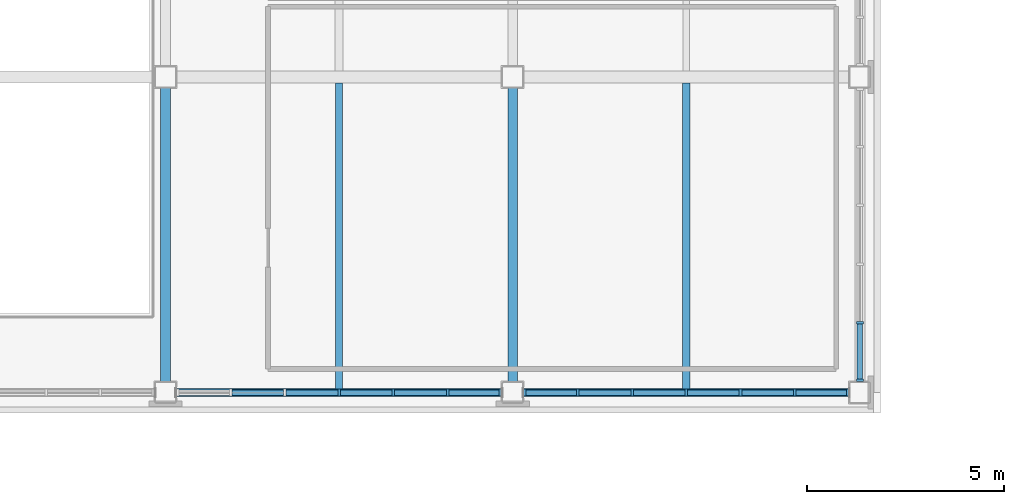
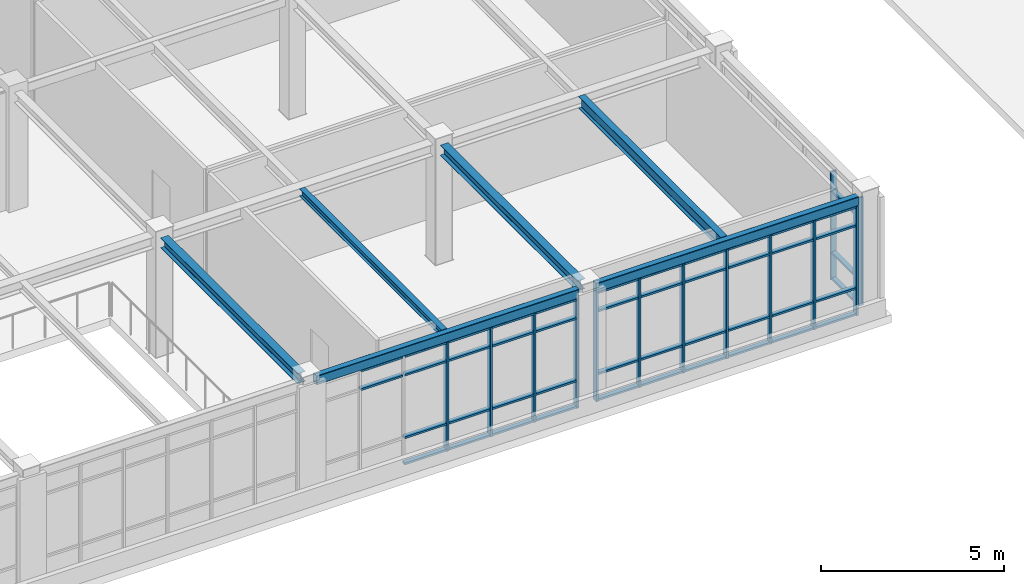
# One storey, part 15 of 88: 58 members, 6 beams, 3 elements without a shape of their own.
"""IFC4 building model written with IfcOpenShell, lengths in metres."""

from ifc_helpers import new_model, si_unit, direction, frame, origin, origin_2d, place, context, subcontext, project, spatial, rectangle, hollow_rectangle, i_section, extrude, material, material_profile, profile_set, type_object, element, aggregate, save


model = new_model("IFC4")

# Units and contexts
model_context = context("Model", 3, precision=1e-05, world=origin(), true_north=direction((0.0, 1.0)))
body_context = subcontext(model_context, "Body", "Model", "MODEL_VIEW")
ifc_project = project(units=[si_unit("LENGTHUNIT", "METRE"), si_unit("AREAUNIT", "SQUARE_METRE"), si_unit("VOLUMEUNIT", "CUBIC_METRE"), si_unit("PLANEANGLEUNIT", "RADIAN"), si_unit("MASSUNIT", "GRAM", prefix="KILO")], contexts=[model_context])

# Site, building, storey
site_placement = place(None, origin())
site = spatial("IfcSite", under=ifc_project, at=site_placement, CompositionType="ELEMENT")
building_placement = place(site_placement, origin())
building = spatial("IfcBuilding", under=site, at=building_placement, Name="Zhaolan Boulevard Law Courts", CompositionType="ELEMENT")
storey_placement = place(building_placement, frame((0.0, 0.0, 16.199951171875)))
storey = spatial("IfcBuildingStorey", under=building, at=storey_placement, Name="L03", CompositionType="ELEMENT", Elevation=16.199951171875)

# Curtain wall, members
ifc_material_1 = material(Name="Thermally broken aluminium and low-E glazing", Category="aluminium")
curtain_wall_type_1 = type_object("IfcCurtainWallType", Name="CURTAIN WALL M3", PredefinedType="USERDEFINED", material=ifc_material_1)
curtain_wall_1_placement = place(storey_placement, origin())
curtain_wall_1 = element("IfcCurtainWall", 1, at=curtain_wall_1_placement, inside=storey, type_object=curtain_wall_type_1, Name="Curtain Wall CW-L03-171", ObjectType="CURTAIN WALL", PredefinedType="USERDEFINED")
ifc_material_2 = material(Name="Fluorocarbon-coated aluminium 6063-T6", Category="aluminium")
ifc_material_profile_1 = material_profile(ifc_material_2, rectangle(XDim=0.179931640625, YDim=0.06494140625, at=origin_2d()), Name="AL65x180")
ifc_profile_set_1 = profile_set([ifc_material_profile_1], Name="Fluorocarbon-coated aluminium 6063-T6")
member_type_1 = type_object("IfcMemberType", Name="CWMULLION 65X180", PredefinedType="MULLION", material=ifc_profile_set_1)
member_1_placement = place(storey_placement, frame((30.800048828125, 30.0, 0.0), z_axis=(0.0, 0.0, 1.0), x_axis=(0.0, 1.0, 0.0)))
member_1 = element("IfcMember", 2, at=member_1_placement, type_object=member_type_1, Name="CW-L03-171 mullion 4", PredefinedType="MULLION", context=body_context, shape_type="SweptSolid", body=[
    extrude(rectangle(XDim=0.179931640625, YDim=0.06494140625, at=origin_2d()), origin(), (0.0, 0.0, 1.0), 3.633056640625),
])
member_2_placement = place(storey_placement, frame((32.17431640625, 30.0, 0.0), z_axis=(0.0, 0.0, 1.0), x_axis=(0.0, 1.0, 0.0)))
member_2 = element("IfcMember", 3, at=member_2_placement, type_object=member_type_1, Name="CW-L03-171 mullion 5", PredefinedType="MULLION", context=body_context, shape_type="SweptSolid", body=[
    extrude(rectangle(XDim=0.179931640625, YDim=0.06494140625, at=origin_2d()), origin(), (0.0, 0.0, 1.0), 3.633056640625),
])
member_3_placement = place(storey_placement, frame((33.548583984375, 30.0, 0.0), z_axis=(0.0, 0.0, 1.0), x_axis=(0.0, 1.0, 0.0)))
member_3 = element("IfcMember", 4, at=member_3_placement, type_object=member_type_1, Name="CW-L03-171 mullion 6", PredefinedType="MULLION", context=body_context, shape_type="SweptSolid", body=[
    extrude(rectangle(XDim=0.179931640625, YDim=0.06494140625, at=origin_2d()), origin(), (0.0, 0.0, 1.0), 3.633056640625),
])
member_4_placement = place(storey_placement, frame((34.890380859375, 30.0, 0.0), z_axis=(0.0, 0.0, 1.0), x_axis=(0.0, 1.0, 0.0)))
member_4 = element("IfcMember", 5, at=member_4_placement, type_object=member_type_1, Name="CW-L03-171 mullion 7", PredefinedType="MULLION", context=body_context, shape_type="SweptSolid", body=[
    extrude(rectangle(XDim=0.179931640625, YDim=0.06494140625, at=origin_2d()), origin(), (0.0, 0.0, 1.0), 3.633056640625),
])

ifc_material_3 = material(Name="Thermally broken aluminium and low-E glazing", Category="aluminium")
curtain_wall_type_2 = type_object("IfcCurtainWallType", Name="CURTAIN WALL M4", PredefinedType="USERDEFINED", material=ifc_material_3)
curtain_wall_2_placement = place(storey_placement, origin())
curtain_wall_2 = element("IfcCurtainWall", 6, at=curtain_wall_2_placement, inside=storey, type_object=curtain_wall_type_2, Name="Curtain Wall CW-L03-172", ObjectType="CURTAIN WALL", PredefinedType="USERDEFINED")
member_5_placement = place(storey_placement, frame((35.509521484375, 30.0, 0.0), z_axis=(0.0, 0.0, 1.0), x_axis=(0.0, 1.0, 0.0)))
member_5 = element("IfcMember", 7, at=member_5_placement, type_object=member_type_1, Name="CW-L03-172 mullion 1", PredefinedType="MULLION", context=body_context, shape_type="SweptSolid", body=[
    extrude(rectangle(XDim=0.179931640625, YDim=0.06494140625, at=origin_2d()), origin(), (0.0, 0.0, 1.0), 3.633056640625),
])
member_6_placement = place(storey_placement, frame((36.851318359375, 30.0, 0.0), z_axis=(0.0, 0.0, 1.0), x_axis=(0.0, 1.0, 0.0)))
member_6 = element("IfcMember", 8, at=member_6_placement, type_object=member_type_1, Name="CW-L03-172 mullion 2", PredefinedType="MULLION", context=body_context, shape_type="SweptSolid", body=[
    extrude(rectangle(XDim=0.179931640625, YDim=0.06494140625, at=origin_2d()), origin(), (0.0, 0.0, 1.0), 3.633056640625),
])
member_7_placement = place(storey_placement, frame((38.2255859375, 30.0, 0.0), z_axis=(0.0, 0.0, 1.0), x_axis=(0.0, 1.0, 0.0)))
member_7 = element("IfcMember", 9, at=member_7_placement, type_object=member_type_1, Name="CW-L03-172 mullion 3", PredefinedType="MULLION", context=body_context, shape_type="SweptSolid", body=[
    extrude(rectangle(XDim=0.179931640625, YDim=0.06494140625, at=origin_2d()), origin(), (0.0, 0.0, 1.0), 3.633056640625),
])
member_8_placement = place(storey_placement, frame((39.60009765625, 30.0, 0.0), z_axis=(0.0, 0.0, 1.0), x_axis=(0.0, 1.0, 0.0)))
member_8 = element("IfcMember", 10, at=member_8_placement, type_object=member_type_1, Name="CW-L03-172 mullion 4", PredefinedType="MULLION", context=body_context, shape_type="SweptSolid", body=[
    extrude(rectangle(XDim=0.179931640625, YDim=0.06494140625, at=origin_2d()), origin(), (0.0, 0.0, 1.0), 3.633056640625),
])
member_9_placement = place(storey_placement, frame((40.974365234375, 30.0, 0.0), z_axis=(0.0, 0.0, 1.0), x_axis=(0.0, 1.0, 0.0)))
member_9 = element("IfcMember", 11, at=member_9_placement, type_object=member_type_1, Name="CW-L03-172 mullion 5", PredefinedType="MULLION", context=body_context, shape_type="SweptSolid", body=[
    extrude(rectangle(XDim=0.179931640625, YDim=0.06494140625, at=origin_2d()), origin(), (0.0, 0.0, 1.0), 3.633056640625),
])
member_10_placement = place(storey_placement, frame((42.3486328125, 30.0, 0.0), z_axis=(0.0, 0.0, 1.0), x_axis=(0.0, 1.0, 0.0)))
member_10 = element("IfcMember", 12, at=member_10_placement, type_object=member_type_1, Name="CW-L03-172 mullion 6", PredefinedType="MULLION", context=body_context, shape_type="SweptSolid", body=[
    extrude(rectangle(XDim=0.179931640625, YDim=0.06494140625, at=origin_2d()), origin(), (0.0, 0.0, 1.0), 3.633056640625),
])
member_11_placement = place(storey_placement, frame((43.6904296875, 30.0, 0.0), z_axis=(0.0, 0.0, 1.0), x_axis=(0.0, 1.0, 0.0)))
member_11 = element("IfcMember", 13, at=member_11_placement, type_object=member_type_1, Name="CW-L03-172 mullion 7", PredefinedType="MULLION", context=body_context, shape_type="SweptSolid", body=[
    extrude(rectangle(XDim=0.179931640625, YDim=0.06494140625, at=origin_2d()), origin(), (0.0, 0.0, 1.0), 3.633056640625),
])

ifc_material_4 = material(Name="Thermally broken aluminium and low-E glazing", Category="aluminium")
curtain_wall_type_3 = type_object("IfcCurtainWallType", Name="CURTAIN WALL M11", PredefinedType="USERDEFINED", material=ifc_material_4)
curtain_wall_3_placement = place(storey_placement, origin())
curtain_wall_3 = element("IfcCurtainWall", 14, at=curtain_wall_3_placement, inside=storey, type_object=curtain_wall_type_3, Name="Curtain Wall CW-L03-179", ObjectType="CURTAIN WALL", PredefinedType="USERDEFINED")
member_12_placement = place(storey_placement, frame((44.0, 30.3095703125, 0.0), z_axis=(0.0, 0.0, 1.0), x_axis=(-1.0, 0.0, 0.0)))
member_12 = element("IfcMember", 15, at=member_12_placement, type_object=member_type_1, Name="CW-L03-179 mullion 1", PredefinedType="MULLION", context=body_context, shape_type="SweptSolid", body=[
    extrude(rectangle(XDim=0.179931640625, YDim=0.06494140625, at=origin_2d()), origin(), (0.0, 0.0, 1.0), 3.593017578125),
])
member_13_placement = place(storey_placement, frame((44.0, 31.76611328125, 0.0), z_axis=(0.0, 0.0, 1.0), x_axis=(-1.0, 0.0, 0.0)))
member_13 = element("IfcMember", 16, at=member_13_placement, type_object=member_type_1, Name="CW-L03-179 mullion 2", PredefinedType="MULLION", context=body_context, shape_type="SweptSolid", body=[
    extrude(rectangle(XDim=0.179931640625, YDim=0.06494140625, at=origin_2d()), origin(), (0.0, 0.0, 1.0), 3.593017578125),
])

# Member
ifc_material_5 = material(Name="Fluorocarbon-coated aluminium 6063-T6", Category="aluminium")
ifc_material_profile_2 = material_profile(ifc_material_5, rectangle(XDim=0.139892578125, YDim=0.06494140625, at=origin_2d()), Name="AL65x140")
ifc_profile_set_2 = profile_set([ifc_material_profile_2], Name="Fluorocarbon-coated aluminium 6063-T6")
member_type_2 = type_object("IfcMemberType", Name="CWTRANSOM 65X140", PredefinedType="USERDEFINED", material=ifc_profile_set_2)
member_14_placement = place(storey_placement, frame((28.083740234375, 30.0, 2.983154296875), z_axis=(1.0, 0.0, 0.0), x_axis=(0.0, 1.0, 0.0)))
member_14 = element("IfcMember", 17, at=member_14_placement, type_object=member_type_2, Name="CW-L03-171 transom 2.3", ObjectType="TRANSOM", PredefinedType="USERDEFINED", context=body_context, shape_type="SweptSolid", body=[
    extrude(rectangle(XDim=0.139892578125, YDim=0.06494140625, at=origin_2d()), origin(), (0.0, 0.0, 1.0), 1.309326171875),
])

member_15_placement = place(storey_placement, frame((28.083740234375, 30.0, 3.6005859375), z_axis=(1.0, 0.0, 0.0), x_axis=(0.0, 1.0, 0.0)))
member_15 = element("IfcMember", 18, at=member_15_placement, type_object=member_type_2, Name="CW-L03-171 transom 2.4", ObjectType="TRANSOM", PredefinedType="USERDEFINED", context=body_context, shape_type="SweptSolid", body=[
    extrude(rectangle(XDim=0.139892578125, YDim=0.06494140625, at=origin_2d()), origin(), (0.0, 0.0, 1.0), 1.309326171875),
])

member_16_placement = place(storey_placement, frame((29.458251953125, 30.0, 0.032470703125), z_axis=(1.0, 0.0, 0.0), x_axis=(0.0, 1.0, 0.0)))
member_16 = element("IfcMember", 19, at=member_16_placement, type_object=member_type_2, Name="CW-L03-171 transom 3.1", ObjectType="TRANSOM", PredefinedType="USERDEFINED", context=body_context, shape_type="SweptSolid", body=[
    extrude(rectangle(XDim=0.139892578125, YDim=0.06494140625, at=origin_2d()), origin(), (0.0, 0.0, 1.0), 1.309326171875),
])

member_17_placement = place(storey_placement, frame((29.458251953125, 30.0, 0.900146484375), z_axis=(1.0, 0.0, 0.0), x_axis=(0.0, 1.0, 0.0)))
member_17 = element("IfcMember", 20, at=member_17_placement, type_object=member_type_2, Name="CW-L03-171 transom 3.2", ObjectType="TRANSOM", PredefinedType="USERDEFINED", context=body_context, shape_type="SweptSolid", body=[
    extrude(rectangle(XDim=0.139892578125, YDim=0.06494140625, at=origin_2d()), origin(), (0.0, 0.0, 1.0), 1.309326171875),
])

member_18_placement = place(storey_placement, frame((29.458251953125, 30.0, 2.983154296875), z_axis=(1.0, 0.0, 0.0), x_axis=(0.0, 1.0, 0.0)))
member_18 = element("IfcMember", 21, at=member_18_placement, type_object=member_type_2, Name="CW-L03-171 transom 3.3", ObjectType="TRANSOM", PredefinedType="USERDEFINED", context=body_context, shape_type="SweptSolid", body=[
    extrude(rectangle(XDim=0.139892578125, YDim=0.06494140625, at=origin_2d()), origin(), (0.0, 0.0, 1.0), 1.309326171875),
])

member_19_placement = place(storey_placement, frame((29.458251953125, 30.0, 3.6005859375), z_axis=(1.0, 0.0, 0.0), x_axis=(0.0, 1.0, 0.0)))
member_19 = element("IfcMember", 22, at=member_19_placement, type_object=member_type_2, Name="CW-L03-171 transom 3.4", ObjectType="TRANSOM", PredefinedType="USERDEFINED", context=body_context, shape_type="SweptSolid", body=[
    extrude(rectangle(XDim=0.139892578125, YDim=0.06494140625, at=origin_2d()), origin(), (0.0, 0.0, 1.0), 1.309326171875),
])

member_20_placement = place(storey_placement, frame((30.83251953125, 30.0, 0.032470703125), z_axis=(1.0, 0.0, 0.0), x_axis=(0.0, 1.0, 0.0)))
member_20 = element("IfcMember", 23, at=member_20_placement, type_object=member_type_2, Name="CW-L03-171 transom 4.1", ObjectType="TRANSOM", PredefinedType="USERDEFINED", context=body_context, shape_type="SweptSolid", body=[
    extrude(rectangle(XDim=0.139892578125, YDim=0.06494140625, at=origin_2d()), origin(), (0.0, 0.0, 1.0), 1.309326171875),
])

member_21_placement = place(storey_placement, frame((30.83251953125, 30.0, 0.900146484375), z_axis=(1.0, 0.0, 0.0), x_axis=(0.0, 1.0, 0.0)))
member_21 = element("IfcMember", 24, at=member_21_placement, type_object=member_type_2, Name="CW-L03-171 transom 4.2", ObjectType="TRANSOM", PredefinedType="USERDEFINED", context=body_context, shape_type="SweptSolid", body=[
    extrude(rectangle(XDim=0.139892578125, YDim=0.06494140625, at=origin_2d()), origin(), (0.0, 0.0, 1.0), 1.309326171875),
])

member_22_placement = place(storey_placement, frame((30.83251953125, 30.0, 2.983154296875), z_axis=(1.0, 0.0, 0.0), x_axis=(0.0, 1.0, 0.0)))
member_22 = element("IfcMember", 25, at=member_22_placement, type_object=member_type_2, Name="CW-L03-171 transom 4.3", ObjectType="TRANSOM", PredefinedType="USERDEFINED", context=body_context, shape_type="SweptSolid", body=[
    extrude(rectangle(XDim=0.139892578125, YDim=0.06494140625, at=origin_2d()), origin(), (0.0, 0.0, 1.0), 1.309326171875),
])

member_23_placement = place(storey_placement, frame((30.83251953125, 30.0, 3.6005859375), z_axis=(1.0, 0.0, 0.0), x_axis=(0.0, 1.0, 0.0)))
member_23 = element("IfcMember", 26, at=member_23_placement, type_object=member_type_2, Name="CW-L03-171 transom 4.4", ObjectType="TRANSOM", PredefinedType="USERDEFINED", context=body_context, shape_type="SweptSolid", body=[
    extrude(rectangle(XDim=0.139892578125, YDim=0.06494140625, at=origin_2d()), origin(), (0.0, 0.0, 1.0), 1.309326171875),
])

member_24_placement = place(storey_placement, frame((32.206787109375, 30.0, 0.032470703125), z_axis=(1.0, 0.0, 0.0), x_axis=(0.0, 1.0, 0.0)))
member_24 = element("IfcMember", 27, at=member_24_placement, type_object=member_type_2, Name="CW-L03-171 transom 5.1", ObjectType="TRANSOM", PredefinedType="USERDEFINED", context=body_context, shape_type="SweptSolid", body=[
    extrude(rectangle(XDim=0.139892578125, YDim=0.06494140625, at=origin_2d()), origin(), (0.0, 0.0, 1.0), 1.309326171875),
])

member_25_placement = place(storey_placement, frame((32.206787109375, 30.0, 0.900146484375), z_axis=(1.0, 0.0, 0.0), x_axis=(0.0, 1.0, 0.0)))
member_25 = element("IfcMember", 28, at=member_25_placement, type_object=member_type_2, Name="CW-L03-171 transom 5.2", ObjectType="TRANSOM", PredefinedType="USERDEFINED", context=body_context, shape_type="SweptSolid", body=[
    extrude(rectangle(XDim=0.139892578125, YDim=0.06494140625, at=origin_2d()), origin(), (0.0, 0.0, 1.0), 1.309326171875),
])

member_26_placement = place(storey_placement, frame((32.206787109375, 30.0, 2.983154296875), z_axis=(1.0, 0.0, 0.0), x_axis=(0.0, 1.0, 0.0)))
member_26 = element("IfcMember", 29, at=member_26_placement, type_object=member_type_2, Name="CW-L03-171 transom 5.3", ObjectType="TRANSOM", PredefinedType="USERDEFINED", context=body_context, shape_type="SweptSolid", body=[
    extrude(rectangle(XDim=0.139892578125, YDim=0.06494140625, at=origin_2d()), origin(), (0.0, 0.0, 1.0), 1.309326171875),
])

member_27_placement = place(storey_placement, frame((32.206787109375, 30.0, 3.6005859375), z_axis=(1.0, 0.0, 0.0), x_axis=(0.0, 1.0, 0.0)))
member_27 = element("IfcMember", 30, at=member_27_placement, type_object=member_type_2, Name="CW-L03-171 transom 5.4", ObjectType="TRANSOM", PredefinedType="USERDEFINED", context=body_context, shape_type="SweptSolid", body=[
    extrude(rectangle(XDim=0.139892578125, YDim=0.06494140625, at=origin_2d()), origin(), (0.0, 0.0, 1.0), 1.309326171875),
])

member_28_placement = place(storey_placement, frame((33.5810546875, 30.0, 0.032470703125), z_axis=(1.0, 0.0, 0.0), x_axis=(0.0, 1.0, 0.0)))
member_28 = element("IfcMember", 31, at=member_28_placement, type_object=member_type_2, Name="CW-L03-171 transom 6.1", ObjectType="TRANSOM", PredefinedType="USERDEFINED", context=body_context, shape_type="SweptSolid", body=[
    extrude(rectangle(XDim=0.139892578125, YDim=0.06494140625, at=origin_2d()), origin(), (0.0, 0.0, 1.0), 1.27685546875),
])

member_29_placement = place(storey_placement, frame((33.5810546875, 30.0, 0.900146484375), z_axis=(1.0, 0.0, 0.0), x_axis=(0.0, 1.0, 0.0)))
member_29 = element("IfcMember", 32, at=member_29_placement, type_object=member_type_2, Name="CW-L03-171 transom 6.2", ObjectType="TRANSOM", PredefinedType="USERDEFINED", context=body_context, shape_type="SweptSolid", body=[
    extrude(rectangle(XDim=0.139892578125, YDim=0.06494140625, at=origin_2d()), origin(), (0.0, 0.0, 1.0), 1.27685546875),
])

member_30_placement = place(storey_placement, frame((33.5810546875, 30.0, 2.983154296875), z_axis=(1.0, 0.0, 0.0), x_axis=(0.0, 1.0, 0.0)))
member_30 = element("IfcMember", 33, at=member_30_placement, type_object=member_type_2, Name="CW-L03-171 transom 6.3", ObjectType="TRANSOM", PredefinedType="USERDEFINED", context=body_context, shape_type="SweptSolid", body=[
    extrude(rectangle(XDim=0.139892578125, YDim=0.06494140625, at=origin_2d()), origin(), (0.0, 0.0, 1.0), 1.27685546875),
])

member_31_placement = place(storey_placement, frame((33.5810546875, 30.0, 3.6005859375), z_axis=(1.0, 0.0, 0.0), x_axis=(0.0, 1.0, 0.0)))
member_31 = element("IfcMember", 34, at=member_31_placement, type_object=member_type_2, Name="CW-L03-171 transom 6.4", ObjectType="TRANSOM", PredefinedType="USERDEFINED", context=body_context, shape_type="SweptSolid", body=[
    extrude(rectangle(XDim=0.139892578125, YDim=0.06494140625, at=origin_2d()), origin(), (0.0, 0.0, 1.0), 1.27685546875),
])

aggregate(curtain_wall_1, [member_1, member_2, member_3, member_4, member_14, member_15, member_16, member_17, member_18, member_19, member_20, member_21, member_22, member_23, member_24, member_25, member_26, member_27, member_28, member_29, member_30, member_31])

member_32_placement = place(storey_placement, frame((35.5419921875, 30.0, 0.032470703125), z_axis=(1.0, 0.0, 0.0), x_axis=(0.0, 1.0, 0.0)))
member_32 = element("IfcMember", 35, at=member_32_placement, type_object=member_type_2, Name="CW-L03-172 transom 1.1", ObjectType="TRANSOM", PredefinedType="USERDEFINED", context=body_context, shape_type="SweptSolid", body=[
    extrude(rectangle(XDim=0.139892578125, YDim=0.06494140625, at=origin_2d()), origin(), (0.0, 0.0, 1.0), 1.27685546875),
])

member_33_placement = place(storey_placement, frame((35.5419921875, 30.0, 0.900146484375), z_axis=(1.0, 0.0, 0.0), x_axis=(0.0, 1.0, 0.0)))
member_33 = element("IfcMember", 36, at=member_33_placement, type_object=member_type_2, Name="CW-L03-172 transom 1.2", ObjectType="TRANSOM", PredefinedType="USERDEFINED", context=body_context, shape_type="SweptSolid", body=[
    extrude(rectangle(XDim=0.139892578125, YDim=0.06494140625, at=origin_2d()), origin(), (0.0, 0.0, 1.0), 1.27685546875),
])

member_34_placement = place(storey_placement, frame((35.5419921875, 30.0, 2.983154296875), z_axis=(1.0, 0.0, 0.0), x_axis=(0.0, 1.0, 0.0)))
member_34 = element("IfcMember", 37, at=member_34_placement, type_object=member_type_2, Name="CW-L03-172 transom 1.3", ObjectType="TRANSOM", PredefinedType="USERDEFINED", context=body_context, shape_type="SweptSolid", body=[
    extrude(rectangle(XDim=0.139892578125, YDim=0.06494140625, at=origin_2d()), origin(), (0.0, 0.0, 1.0), 1.27685546875),
])

member_35_placement = place(storey_placement, frame((35.5419921875, 30.0, 3.6005859375), z_axis=(1.0, 0.0, 0.0), x_axis=(0.0, 1.0, 0.0)))
member_35 = element("IfcMember", 38, at=member_35_placement, type_object=member_type_2, Name="CW-L03-172 transom 1.4", ObjectType="TRANSOM", PredefinedType="USERDEFINED", context=body_context, shape_type="SweptSolid", body=[
    extrude(rectangle(XDim=0.139892578125, YDim=0.06494140625, at=origin_2d()), origin(), (0.0, 0.0, 1.0), 1.27685546875),
])

member_36_placement = place(storey_placement, frame((36.8837890625, 30.0, 0.032470703125), z_axis=(1.0, 0.0, 0.0), x_axis=(0.0, 1.0, 0.0)))
member_36 = element("IfcMember", 39, at=member_36_placement, type_object=member_type_2, Name="CW-L03-172 transom 2.1", ObjectType="TRANSOM", PredefinedType="USERDEFINED", context=body_context, shape_type="SweptSolid", body=[
    extrude(rectangle(XDim=0.139892578125, YDim=0.06494140625, at=origin_2d()), origin(), (0.0, 0.0, 1.0), 1.309326171875),
])

member_37_placement = place(storey_placement, frame((36.8837890625, 30.0, 0.900146484375), z_axis=(1.0, 0.0, 0.0), x_axis=(0.0, 1.0, 0.0)))
member_37 = element("IfcMember", 40, at=member_37_placement, type_object=member_type_2, Name="CW-L03-172 transom 2.2", ObjectType="TRANSOM", PredefinedType="USERDEFINED", context=body_context, shape_type="SweptSolid", body=[
    extrude(rectangle(XDim=0.139892578125, YDim=0.06494140625, at=origin_2d()), origin(), (0.0, 0.0, 1.0), 1.309326171875),
])

member_38_placement = place(storey_placement, frame((36.8837890625, 30.0, 2.983154296875), z_axis=(1.0, 0.0, 0.0), x_axis=(0.0, 1.0, 0.0)))
member_38 = element("IfcMember", 41, at=member_38_placement, type_object=member_type_2, Name="CW-L03-172 transom 2.3", ObjectType="TRANSOM", PredefinedType="USERDEFINED", context=body_context, shape_type="SweptSolid", body=[
    extrude(rectangle(XDim=0.139892578125, YDim=0.06494140625, at=origin_2d()), origin(), (0.0, 0.0, 1.0), 1.309326171875),
])

member_39_placement = place(storey_placement, frame((36.8837890625, 30.0, 3.6005859375), z_axis=(1.0, 0.0, 0.0), x_axis=(0.0, 1.0, 0.0)))
member_39 = element("IfcMember", 42, at=member_39_placement, type_object=member_type_2, Name="CW-L03-172 transom 2.4", ObjectType="TRANSOM", PredefinedType="USERDEFINED", context=body_context, shape_type="SweptSolid", body=[
    extrude(rectangle(XDim=0.139892578125, YDim=0.06494140625, at=origin_2d()), origin(), (0.0, 0.0, 1.0), 1.309326171875),
])

member_40_placement = place(storey_placement, frame((38.258056640625, 30.0, 0.032470703125), z_axis=(1.0, 0.0, 0.0), x_axis=(0.0, 1.0, 0.0)))
member_40 = element("IfcMember", 43, at=member_40_placement, type_object=member_type_2, Name="CW-L03-172 transom 3.1", ObjectType="TRANSOM", PredefinedType="USERDEFINED", context=body_context, shape_type="SweptSolid", body=[
    extrude(rectangle(XDim=0.139892578125, YDim=0.06494140625, at=origin_2d()), origin(), (0.0, 0.0, 1.0), 1.309326171875),
])

member_41_placement = place(storey_placement, frame((38.258056640625, 30.0, 0.900146484375), z_axis=(1.0, 0.0, 0.0), x_axis=(0.0, 1.0, 0.0)))
member_41 = element("IfcMember", 44, at=member_41_placement, type_object=member_type_2, Name="CW-L03-172 transom 3.2", ObjectType="TRANSOM", PredefinedType="USERDEFINED", context=body_context, shape_type="SweptSolid", body=[
    extrude(rectangle(XDim=0.139892578125, YDim=0.06494140625, at=origin_2d()), origin(), (0.0, 0.0, 1.0), 1.309326171875),
])

member_42_placement = place(storey_placement, frame((38.258056640625, 30.0, 2.983154296875), z_axis=(1.0, 0.0, 0.0), x_axis=(0.0, 1.0, 0.0)))
member_42 = element("IfcMember", 45, at=member_42_placement, type_object=member_type_2, Name="CW-L03-172 transom 3.3", ObjectType="TRANSOM", PredefinedType="USERDEFINED", context=body_context, shape_type="SweptSolid", body=[
    extrude(rectangle(XDim=0.139892578125, YDim=0.06494140625, at=origin_2d()), origin(), (0.0, 0.0, 1.0), 1.309326171875),
])

member_43_placement = place(storey_placement, frame((38.258056640625, 30.0, 3.6005859375), z_axis=(1.0, 0.0, 0.0), x_axis=(0.0, 1.0, 0.0)))
member_43 = element("IfcMember", 46, at=member_43_placement, type_object=member_type_2, Name="CW-L03-172 transom 3.4", ObjectType="TRANSOM", PredefinedType="USERDEFINED", context=body_context, shape_type="SweptSolid", body=[
    extrude(rectangle(XDim=0.139892578125, YDim=0.06494140625, at=origin_2d()), origin(), (0.0, 0.0, 1.0), 1.309326171875),
])

member_44_placement = place(storey_placement, frame((39.632568359375, 30.0, 0.032470703125), z_axis=(1.0, 0.0, 0.0), x_axis=(0.0, 1.0, 0.0)))
member_44 = element("IfcMember", 47, at=member_44_placement, type_object=member_type_2, Name="CW-L03-172 transom 4.1", ObjectType="TRANSOM", PredefinedType="USERDEFINED", context=body_context, shape_type="SweptSolid", body=[
    extrude(rectangle(XDim=0.139892578125, YDim=0.06494140625, at=origin_2d()), origin(), (0.0, 0.0, 1.0), 1.309326171875),
])

member_45_placement = place(storey_placement, frame((39.632568359375, 30.0, 0.900146484375), z_axis=(1.0, 0.0, 0.0), x_axis=(0.0, 1.0, 0.0)))
member_45 = element("IfcMember", 48, at=member_45_placement, type_object=member_type_2, Name="CW-L03-172 transom 4.2", ObjectType="TRANSOM", PredefinedType="USERDEFINED", context=body_context, shape_type="SweptSolid", body=[
    extrude(rectangle(XDim=0.139892578125, YDim=0.06494140625, at=origin_2d()), origin(), (0.0, 0.0, 1.0), 1.309326171875),
])

member_46_placement = place(storey_placement, frame((39.632568359375, 30.0, 2.983154296875), z_axis=(1.0, 0.0, 0.0), x_axis=(0.0, 1.0, 0.0)))
member_46 = element("IfcMember", 49, at=member_46_placement, type_object=member_type_2, Name="CW-L03-172 transom 4.3", ObjectType="TRANSOM", PredefinedType="USERDEFINED", context=body_context, shape_type="SweptSolid", body=[
    extrude(rectangle(XDim=0.139892578125, YDim=0.06494140625, at=origin_2d()), origin(), (0.0, 0.0, 1.0), 1.309326171875),
])

member_47_placement = place(storey_placement, frame((39.632568359375, 30.0, 3.6005859375), z_axis=(1.0, 0.0, 0.0), x_axis=(0.0, 1.0, 0.0)))
member_47 = element("IfcMember", 50, at=member_47_placement, type_object=member_type_2, Name="CW-L03-172 transom 4.4", ObjectType="TRANSOM", PredefinedType="USERDEFINED", context=body_context, shape_type="SweptSolid", body=[
    extrude(rectangle(XDim=0.139892578125, YDim=0.06494140625, at=origin_2d()), origin(), (0.0, 0.0, 1.0), 1.309326171875),
])

member_48_placement = place(storey_placement, frame((41.0068359375, 30.0, 0.032470703125), z_axis=(1.0, 0.0, 0.0), x_axis=(0.0, 1.0, 0.0)))
member_48 = element("IfcMember", 51, at=member_48_placement, type_object=member_type_2, Name="CW-L03-172 transom 5.1", ObjectType="TRANSOM", PredefinedType="USERDEFINED", context=body_context, shape_type="SweptSolid", body=[
    extrude(rectangle(XDim=0.139892578125, YDim=0.06494140625, at=origin_2d()), origin(), (0.0, 0.0, 1.0), 1.309326171875),
])

member_49_placement = place(storey_placement, frame((41.0068359375, 30.0, 0.900146484375), z_axis=(1.0, 0.0, 0.0), x_axis=(0.0, 1.0, 0.0)))
member_49 = element("IfcMember", 52, at=member_49_placement, type_object=member_type_2, Name="CW-L03-172 transom 5.2", ObjectType="TRANSOM", PredefinedType="USERDEFINED", context=body_context, shape_type="SweptSolid", body=[
    extrude(rectangle(XDim=0.139892578125, YDim=0.06494140625, at=origin_2d()), origin(), (0.0, 0.0, 1.0), 1.309326171875),
])

member_50_placement = place(storey_placement, frame((41.0068359375, 30.0, 2.983154296875), z_axis=(1.0, 0.0, 0.0), x_axis=(0.0, 1.0, 0.0)))
member_50 = element("IfcMember", 53, at=member_50_placement, type_object=member_type_2, Name="CW-L03-172 transom 5.3", ObjectType="TRANSOM", PredefinedType="USERDEFINED", context=body_context, shape_type="SweptSolid", body=[
    extrude(rectangle(XDim=0.139892578125, YDim=0.06494140625, at=origin_2d()), origin(), (0.0, 0.0, 1.0), 1.309326171875),
])

member_51_placement = place(storey_placement, frame((41.0068359375, 30.0, 3.6005859375), z_axis=(1.0, 0.0, 0.0), x_axis=(0.0, 1.0, 0.0)))
member_51 = element("IfcMember", 54, at=member_51_placement, type_object=member_type_2, Name="CW-L03-172 transom 5.4", ObjectType="TRANSOM", PredefinedType="USERDEFINED", context=body_context, shape_type="SweptSolid", body=[
    extrude(rectangle(XDim=0.139892578125, YDim=0.06494140625, at=origin_2d()), origin(), (0.0, 0.0, 1.0), 1.309326171875),
])

member_52_placement = place(storey_placement, frame((42.381103515625, 30.0, 0.032470703125), z_axis=(1.0, 0.0, 0.0), x_axis=(0.0, 1.0, 0.0)))
member_52 = element("IfcMember", 55, at=member_52_placement, type_object=member_type_2, Name="CW-L03-172 transom 6.1", ObjectType="TRANSOM", PredefinedType="USERDEFINED", context=body_context, shape_type="SweptSolid", body=[
    extrude(rectangle(XDim=0.139892578125, YDim=0.06494140625, at=origin_2d()), origin(), (0.0, 0.0, 1.0), 1.27685546875),
])

member_53_placement = place(storey_placement, frame((42.381103515625, 30.0, 0.900146484375), z_axis=(1.0, 0.0, 0.0), x_axis=(0.0, 1.0, 0.0)))
member_53 = element("IfcMember", 56, at=member_53_placement, type_object=member_type_2, Name="CW-L03-172 transom 6.2", ObjectType="TRANSOM", PredefinedType="USERDEFINED", context=body_context, shape_type="SweptSolid", body=[
    extrude(rectangle(XDim=0.139892578125, YDim=0.06494140625, at=origin_2d()), origin(), (0.0, 0.0, 1.0), 1.27685546875),
])

member_54_placement = place(storey_placement, frame((42.381103515625, 30.0, 2.983154296875), z_axis=(1.0, 0.0, 0.0), x_axis=(0.0, 1.0, 0.0)))
member_54 = element("IfcMember", 57, at=member_54_placement, type_object=member_type_2, Name="CW-L03-172 transom 6.3", ObjectType="TRANSOM", PredefinedType="USERDEFINED", context=body_context, shape_type="SweptSolid", body=[
    extrude(rectangle(XDim=0.139892578125, YDim=0.06494140625, at=origin_2d()), origin(), (0.0, 0.0, 1.0), 1.27685546875),
])

member_55_placement = place(storey_placement, frame((42.381103515625, 30.0, 3.6005859375), z_axis=(1.0, 0.0, 0.0), x_axis=(0.0, 1.0, 0.0)))
member_55 = element("IfcMember", 58, at=member_55_placement, type_object=member_type_2, Name="CW-L03-172 transom 6.4", ObjectType="TRANSOM", PredefinedType="USERDEFINED", context=body_context, shape_type="SweptSolid", body=[
    extrude(rectangle(XDim=0.139892578125, YDim=0.06494140625, at=origin_2d()), origin(), (0.0, 0.0, 1.0), 1.27685546875),
])

aggregate(curtain_wall_2, [member_5, member_6, member_7, member_8, member_9, member_10, member_11, member_32, member_33, member_34, member_35, member_36, member_37, member_38, member_39, member_40, member_41, member_42, member_43, member_44, member_45, member_46, member_47, member_48, member_49, member_50, member_51, member_52, member_53, member_54, member_55])

member_56_placement = place(storey_placement, frame((44.0, 30.342041015625, 0.032470703125), z_axis=(0.0, 1.0, 0.0), x_axis=(-1.0, 0.0, 0.0)))
member_56 = element("IfcMember", 59, at=member_56_placement, type_object=member_type_2, Name="CW-L03-179 transom 1.1", ObjectType="TRANSOM", PredefinedType="USERDEFINED", context=body_context, shape_type="SweptSolid", body=[
    extrude(rectangle(XDim=0.139892578125, YDim=0.06494140625, at=origin_2d()), origin(), (0.0, 0.0, 1.0), 1.3916015625),
])

member_57_placement = place(storey_placement, frame((44.0, 30.342041015625, 0.900146484375), z_axis=(0.0, 1.0, 0.0), x_axis=(-1.0, 0.0, 0.0)))
member_57 = element("IfcMember", 60, at=member_57_placement, type_object=member_type_2, Name="CW-L03-179 transom 1.2", ObjectType="TRANSOM", PredefinedType="USERDEFINED", context=body_context, shape_type="SweptSolid", body=[
    extrude(rectangle(XDim=0.139892578125, YDim=0.06494140625, at=origin_2d()), origin(), (0.0, 0.0, 1.0), 1.3916015625),
])

member_58_placement = place(storey_placement, frame((44.0, 30.342041015625, 2.943115234375), z_axis=(0.0, 1.0, 0.0), x_axis=(-1.0, 0.0, 0.0)))
member_58 = element("IfcMember", 61, at=member_58_placement, type_object=member_type_2, Name="CW-L03-179 transom 1.3", ObjectType="TRANSOM", PredefinedType="USERDEFINED", context=body_context, shape_type="SweptSolid", body=[
    extrude(rectangle(XDim=0.139892578125, YDim=0.06494140625, at=origin_2d()), origin(), (0.0, 0.0, 1.0), 1.3916015625),
])

aggregate(curtain_wall_3, [member_12, member_13, member_56, member_57, member_58])

# Beams
ifc_material_6 = material(Name="Structural steel Q355B", Category="steel")
ifc_material_profile_3 = material_profile(ifc_material_6, i_section(OverallWidth=0.25, OverallDepth=0.340087890625, WebThickness=0.009033203125, FlangeThickness=0.013916015625, FilletRadius=0.01611328125, at=origin_2d()), Name="HM340x250")
ifc_profile_set_3 = profile_set([ifc_material_profile_3], Name="Structural steel Q355B")
beam_type_1 = type_object("IfcBeamType", Name="GIRDER HM340", PredefinedType="BEAM", material=ifc_profile_set_3)
for number, where, z_axis, x_axis, name in (
    (62, (26.39990234375, 30.27099609375, 3.778076171875), (0.0, 1.0, 0.0), (-1.0, 0.0, 0.0), "Beam BY-L04-4-E-F"),
    (63, (35.199951171875, 30.27099609375, 3.778076171875), (0.0, 1.0, 0.0), (-1.0, 0.0, 0.0), "Beam BY-L04-5-E-F"),
):
    element("IfcBeam", number, at=place(storey_placement, frame(where, z_axis=z_axis, x_axis=x_axis)), inside=storey, type_object=beam_type_1, Name=name, PredefinedType="BEAM", context=body_context, shape_type="SweptSolid", body=[
        extrude(i_section(OverallWidth=0.25, OverallDepth=0.340087890625, WebThickness=0.009033203125, FlangeThickness=0.013916015625, FilletRadius=0.01611328125, at=origin_2d()), origin(), (0.0, 0.0, 1.0), 7.4580078125),
    ])
ifc_material_7 = material(Name="Structural steel Q355B", Category="steel")
ifc_material_profile_4 = material_profile(ifc_material_7, i_section(OverallWidth=0.175048828125, OverallDepth=0.243896484375, WebThickness=0.007080078125, FlangeThickness=0.010986328125, FilletRadius=0.012939453125, at=origin_2d()), Name="HM244x175")
ifc_profile_set_4 = profile_set([ifc_material_profile_4], Name="Structural steel Q355B")
beam_type_2 = type_object("IfcBeamType", Name="JOIST HM244", PredefinedType="JOIST", material=ifc_profile_set_4)
beam_1_placement = place(storey_placement, frame((30.800048828125, 30.095947265625, 3.825927734375), z_axis=(0.0, 1.0, 0.0), x_axis=(-1.0, 0.0, 0.0)))
element("IfcBeam", 64, at=beam_1_placement, inside=storey, type_object=beam_type_2, Name="Composite Joist J-L04-4E", PredefinedType="JOIST", context=body_context, shape_type="SweptSolid", body=[
    extrude(i_section(OverallWidth=0.175048828125, OverallDepth=0.243896484375, WebThickness=0.007080078125, FlangeThickness=0.010986328125, FilletRadius=0.012939453125, at=origin_2d()), origin(), (0.0, 0.0, 1.0), 7.758056640625),
])
ifc_material_8 = material(Name="Structural steel Q355B", Category="steel")
ifc_material_profile_5 = material_profile(ifc_material_8, i_section(OverallWidth=0.199951171875, OverallDepth=0.39990234375, WebThickness=0.008056640625, FlangeThickness=0.012939453125, FilletRadius=0.013916015625, at=origin_2d()), Name="HN400x200")
ifc_profile_set_5 = profile_set([ifc_material_profile_5], Name="Structural steel Q355B")
beam_type_3 = type_object("IfcBeamType", Name="JOIST HN400", PredefinedType="JOIST", material=ifc_profile_set_5)
beam_2_placement = place(storey_placement, frame((39.60009765625, 30.095947265625, 3.748046875), z_axis=(0.0, 1.0, 0.0), x_axis=(-1.0, 0.0, 0.0)))
element("IfcBeam", 65, at=beam_2_placement, inside=storey, type_object=beam_type_3, Name="Composite Joist J-L04-5E", PredefinedType="JOIST", context=body_context, shape_type="SweptSolid", body=[
    extrude(i_section(OverallWidth=0.199951171875, OverallDepth=0.39990234375, WebThickness=0.008056640625, FlangeThickness=0.012939453125, FilletRadius=0.013916015625, at=origin_2d()), origin(), (0.0, 0.0, 1.0), 7.758056640625),
])
ifc_material_9 = material(Name="Structural steel Q355B", Category="steel")
ifc_material_profile_6 = material_profile(ifc_material_9, hollow_rectangle(XDim=0.199951171875, YDim=0.300048828125, WallThickness=0.011962890625, InnerFilletRadius=0.011962890625, OuterFilletRadius=0.02392578125, at=origin_2d()), Name="HSS300x200x12")
ifc_profile_set_6 = profile_set([ifc_material_profile_6], Name="Structural steel Q355B")
beam_type_4 = type_object("IfcBeamType", Name="SPANDREL HSS300", PredefinedType="SPANDREL", material=ifc_profile_set_6)
for number, where, z_axis, x_axis, name in (
    (66, (26.6708984375, 30.0, 3.798095703125), (1.0, 0.0, 0.0), (0.0, 1.0, 0.0), "Beam BX-L04-4-5-E"),
    (67, (35.470947265625, 30.0, 3.798095703125), (1.0, 0.0, 0.0), (0.0, 1.0, 0.0), "Beam BX-L04-5-6-E"),
):
    element("IfcBeam", number, at=place(storey_placement, frame(where, z_axis=z_axis, x_axis=x_axis)), inside=storey, type_object=beam_type_4, Name=name, PredefinedType="SPANDREL", context=body_context, shape_type="SweptSolid", body=[
        extrude(hollow_rectangle(XDim=0.199951171875, YDim=0.300048828125, WallThickness=0.011962890625, InnerFilletRadius=0.011962890625, OuterFilletRadius=0.02392578125, at=origin_2d()), origin(), (0.0, 0.0, 1.0), 8.258056640625),
    ])

save(model, "model.ifc")
